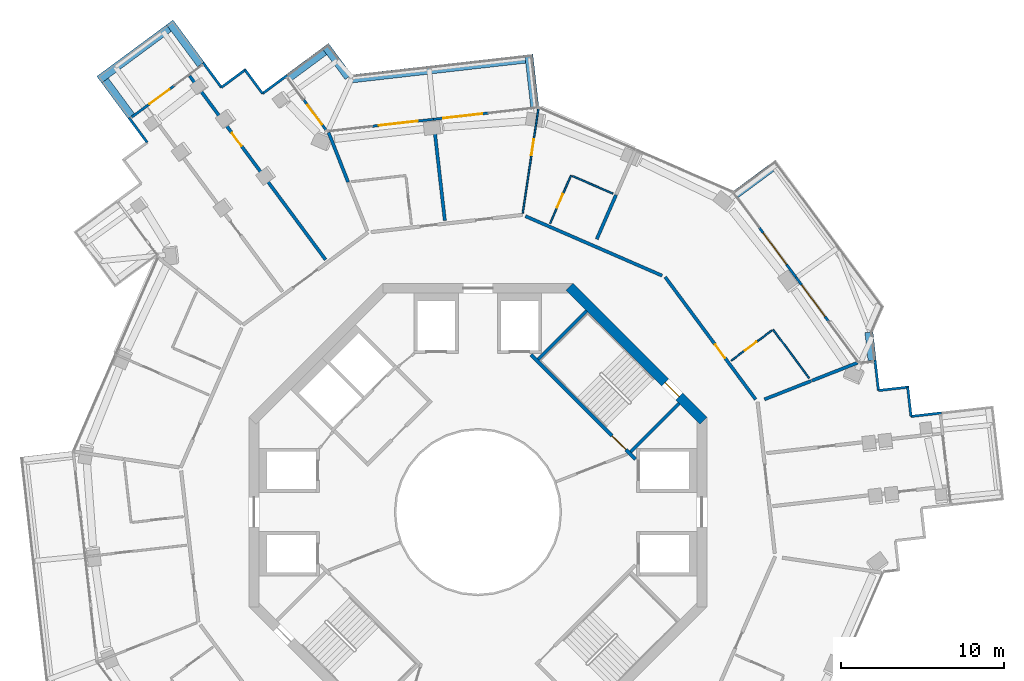
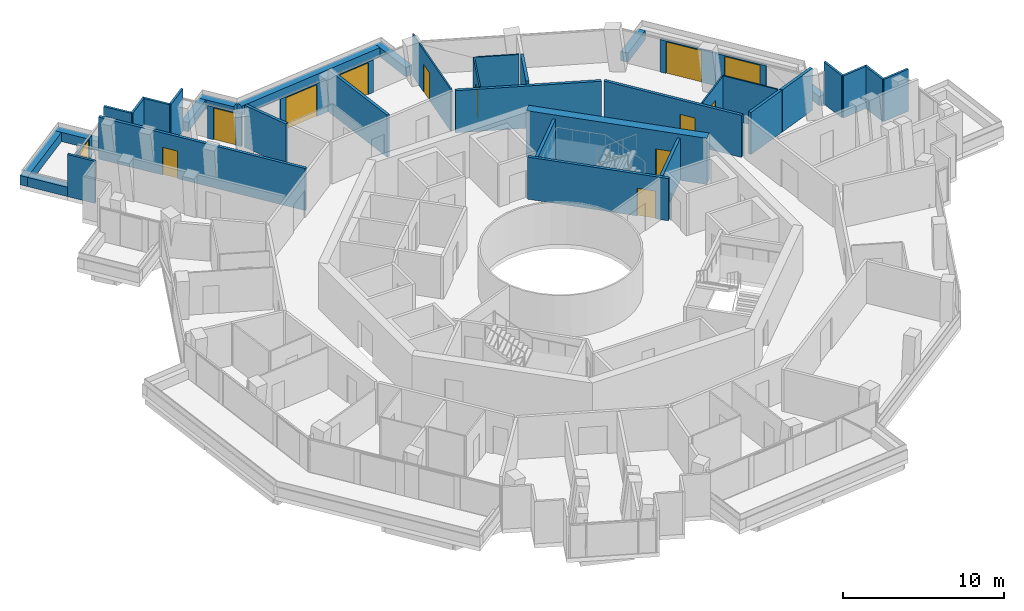
# One storey, part 19 of 23: 41 walls, 13 doors, 13 openings.
"""IFC4 building model written with IfcOpenShell, lengths in metres."""

import ifcopenshell
import ifcopenshell.guid

model = None  # the IFC model being written
_history = None  # IfcOwnerHistory: only IFC2X3 demands one
_inside = {}  # id of a spatial element -> (the spatial element, [elements in it])
_under = {}  # id of a project, library or spatial element -> (it, [spatial elements below it])
_declared = {}  # id of a project -> (the project, [libraries it declares])
_typed = {}  # id of a type object -> (the type object, [elements of that type])
_made_of = {}  # id of a material, layer set ... -> (it, [elements and type objects made of it])


def new_model(schema):
    """Start an empty IFC model of exactly this schema.

    Asked for "IFC4X3", IfcOpenShell would pick the latest addendum, in which some entities
    have other attributes; the version numbers below select the first issue.
    IFC2X3 requires an IfcOwnerHistory on every rooted entity: one is made here for all.
    """
    global model, _history
    if schema == "IFC4X3":
        model = ifcopenshell.file(schema_version=(4, 3, 0, 0))
    else:
        model = ifcopenshell.file(schema=schema)
    _inside.clear()
    _under.clear()
    _declared.clear()
    _typed.clear()
    _made_of.clear()
    _history = None
    if model.schema == "IFC2X3":
        org = make("IfcOrganization", Name="unknown")
        user = make(
            "IfcPersonAndOrganization",
            ThePerson=make("IfcPerson", FamilyName="unknown"),
            TheOrganization=org,
        )
        app = make(
            "IfcApplication",
            ApplicationDeveloper=org,
            Version="unknown",
            ApplicationFullName="unknown",
            ApplicationIdentifier="unknown",
        )
        _history = make(
            "IfcOwnerHistory",
            OwningUser=user,
            OwningApplication=app,
            ChangeAction="ADDED",
            CreationDate=0,
        )
    return model


def make(cls, **values):
    """One entity of the class cls with the attributes given. An attribute that is None is left unset."""
    return model.create_entity(
        cls, **{name: value for name, value in values.items() if value is not None}
    )


def rooted(cls, **values):
    """An entity with a GlobalId (a new one), such as an element, a storey or a relation."""
    return make(cls, GlobalId=ifcopenshell.guid.new(), OwnerHistory=_history, **values)


def si_unit(unit_type, name, prefix=None):
    """IfcSIUnit, for example si_unit("LENGTHUNIT", "METRE", prefix="MILLI")."""
    return make("IfcSIUnit", UnitType=unit_type, Prefix=prefix, Name=name)


def assignment(units):
    """IfcUnitAssignment: the units of a project."""
    return None if units is None else make("IfcUnitAssignment", Units=units)


def point(xyz):
    """IfcCartesianPoint."""
    return None if xyz is None else make("IfcCartesianPoint", Coordinates=xyz)


def direction(xyz):
    """IfcDirection."""
    return None if xyz is None else make("IfcDirection", DirectionRatios=xyz)


def frame(location, z_axis=None, x_axis=None):
    """IfcAxis2Placement3D, a coordinate frame: its origin and axes. An axis left out is left unset."""
    return make(
        "IfcAxis2Placement3D",
        Location=point(location),
        Axis=direction(z_axis),
        RefDirection=direction(x_axis),
    )


def frame_2d(location, x_axis=None):
    """IfcAxis2Placement2D, a coordinate frame in the plane: its origin and x axis."""
    return make(
        "IfcAxis2Placement2D", Location=point(location), RefDirection=direction(x_axis)
    )


def origin():
    """The frame at (0, 0, 0) with its axes left unset."""
    return frame((0.0, 0.0, 0.0))


def place(relative_to, where):
    """IfcLocalPlacement: puts the frame where relative to a parent placement (None: the world)."""
    return make(
        "IfcLocalPlacement", PlacementRelTo=relative_to, RelativePlacement=where
    )


def context(
    kind, dimensions, precision=None, world=None, true_north=None, identifier=None
):
    """IfcGeometricRepresentationContext, for example the 3D "Model" context."""
    return make(
        "IfcGeometricRepresentationContext",
        ContextIdentifier=identifier,
        ContextType=kind,
        CoordinateSpaceDimension=dimensions,
        Precision=precision,
        WorldCoordinateSystem=world,
        TrueNorth=true_north,
    )


def subcontext(parent, identifier, kind, view, scale=None):
    """IfcGeometricRepresentationSubContext, for example "Body" below "Model"."""
    return make(
        "IfcGeometricRepresentationSubContext",
        ContextIdentifier=identifier,
        ContextType=kind,
        ParentContext=parent,
        TargetScale=scale,
        TargetView=view,
    )


def project(units=None, contexts=None):
    """IfcProject with its units and contexts."""
    return rooted(
        "IfcProject",
        Name="project",
        RepresentationContexts=contexts,
        UnitsInContext=assignment(units),
    )


def spatial(cls, under=None, at=None, **own):
    """A site, building, storey or space (cls), placed at a placement, below another one or the project."""
    s = rooted(cls, ObjectPlacement=at, **own)
    if under is not None:
        _under.setdefault(under.id(), (under, []))[1].append(s)
    return s


def profile(cls, at=None, kind="AREA", **sizes):
    """A parametric profile (cls). Its sizes go by their IFC names, for example OverallWidth=200.0."""
    return make(cls, ProfileType=kind, Position=at, **sizes)


def rectangle(**sizes):
    """IfcRectangleProfileDef."""
    return profile("IfcRectangleProfileDef", **sizes)


def extrude(swept, where, along, depth):
    """IfcExtrudedAreaSolid: the profile swept, set in the frame where, extruded along a direction by depth."""
    return make(
        "IfcExtrudedAreaSolid",
        SweptArea=swept,
        Position=where,
        ExtrudedDirection=direction(along),
        Depth=depth,
    )


def shape(context_of_items, identifier, shape_type, items):
    """IfcShapeRepresentation: the items that make up one representation, for example the "Body"."""
    return make(
        "IfcShapeRepresentation",
        ContextOfItems=context_of_items,
        RepresentationIdentifier=identifier,
        RepresentationType=shape_type,
        Items=items,
    )


def material(Name=None, Category=None):
    """IfcMaterial."""
    return make("IfcMaterial", Name=Name, Category=Category)


def layer(
    of_material, thickness, ventilated=None, Name=None, Category=None, Priority=None
):
    """IfcMaterialLayer: one layer of a wall or slab, of a material (None: an air gap)."""
    return make(
        "IfcMaterialLayer",
        Material=of_material,
        LayerThickness=thickness,
        IsVentilated=ventilated,
        Name=Name,
        Category=Category,
        Priority=Priority,
    )


def layer_set(layers, Name=None):
    """IfcMaterialLayerSet."""
    return make("IfcMaterialLayerSet", MaterialLayers=layers, LayerSetName=Name)


def made_of(thing, what):
    """Note that an element or type object is made of a material, layer set ...; save() writes the relation."""
    if what is not None:
        _made_of.setdefault(what.id(), (what, []))[1].append(thing)
    return thing


def type_object(cls, material=None, **own):
    """A type object (cls), such as IfcWallType, which elements share."""
    return made_of(rooted(cls, **own), material)


def element(
    cls,
    number,
    at=None,
    inside=None,
    cuts=None,
    type_object=None,
    material=None,
    context=None,
    identifier="Body",
    shape_type=None,
    held_by="IfcProductDefinitionShape",
    body=None,
    shapes=None,
    **own,
):
    """One element of the class cls, such as IfcWall. Its Tag is "e" and its number.

    at: its placement. inside: the storey or other place that contains it. cuts: it is an
    opening in that element (IfcRelVoidsElement). A single representation is given by context,
    identifier, shape_type and body (its items); several are given by shapes. held_by: the class
    of the entity that holds the representations. save() writes the other relations.
    """
    e = rooted(cls, Tag="e%d" % number, ObjectPlacement=at, **own)
    if body is not None:
        shapes = [shape(context, identifier, shape_type, body)]
    if shapes is not None:
        e.Representation = make(held_by, Representations=shapes)
    if inside is not None:
        _inside.setdefault(inside.id(), (inside, []))[1].append(e)
    if cuts is not None:
        rooted(
            "IfcRelVoidsElement", RelatingBuildingElement=cuts, RelatedOpeningElement=e
        )
    if type_object is not None:
        _typed.setdefault(type_object.id(), (type_object, []))[1].append(e)
    return made_of(e, material)


def fill(opening, filler):
    """IfcRelFillsElement: the door or window that sits in an opening."""
    return rooted(
        "IfcRelFillsElement",
        RelatingOpeningElement=opening,
        RelatedBuildingElement=filler,
    )


def aggregate(whole, parts):
    """IfcRelAggregates: a whole, such as a stair, and the parts it consists of."""
    return rooted("IfcRelAggregates", RelatingObject=whole, RelatedObjects=parts)


def save(model, path):
    """Write the relations noted so far, then the file.

    IfcRelAggregates (storeys below a building ...), IfcRelContainedInSpatialStructure (elements
    in a storey), IfcRelDefinesByType, IfcRelAssociatesMaterial and IfcRelDeclares: one each for
    every whole, place, type object, material and project.
    """
    for whole, parts in _under.values():
        aggregate(whole, parts)
    for where, things in _inside.values():
        rooted(
            "IfcRelContainedInSpatialStructure",
            RelatedElements=things,
            RelatingStructure=where,
        )
    for kind, things in _typed.values():
        rooted("IfcRelDefinesByType", RelatedObjects=things, RelatingType=kind)
    for what, things in _made_of.values():
        rooted("IfcRelAssociatesMaterial", RelatedObjects=things, RelatingMaterial=what)
    for by, libraries in _declared.values():
        rooted("IfcRelDeclares", RelatingContext=by, RelatedDefinitions=libraries)
    model.write(path)


model = new_model("IFC4")

# Units and contexts
model_context = context("Model", 3, precision=1e-05, world=origin(), true_north=direction((0.0, 1.0)))
body_context = subcontext(model_context, "Body", "Model", "MODEL_VIEW")
ifc_project = project(units=[si_unit("LENGTHUNIT", "METRE"), si_unit("AREAUNIT", "SQUARE_METRE"), si_unit("VOLUMEUNIT", "CUBIC_METRE"), si_unit("PLANEANGLEUNIT", "RADIAN"), si_unit("MASSUNIT", "GRAM", prefix="KILO")], contexts=[model_context])

# Site, building, storey
site_placement = place(None, origin())
site = spatial("IfcSite", under=ifc_project, at=site_placement, CompositionType="ELEMENT")
building_placement = place(site_placement, origin())
building = spatial("IfcBuilding", under=site, at=building_placement, Name="Verdalira Terraces Hotel", CompositionType="ELEMENT")
storey_placement = place(building_placement, frame((0.0, 0.0, 183.5)))
storey = spatial("IfcBuildingStorey", under=building, at=storey_placement, Name="L44", CompositionType="ELEMENT", Elevation=183.5)

# Walls
ifc_material_1 = material(Name="Concrete C40", Category="concrete")
ifc_layer_1 = layer(ifc_material_1, 0.5)
ifc_layer_set_1 = layer_set([ifc_layer_1], Name="Balcony planter trough with tree")
wall_type_1 = type_object("IfcWallType", Name="Balcony planter trough with tree", PredefinedType="SOLIDWALL", material=ifc_layer_set_1)
wall_1_placement = place(storey_placement, frame((-16.952393, 27.384033, 0.0), z_axis=(0.0, 0.0, 1.0), x_axis=(-0.594601338, 0.804020677, 0.0)))
element("IfcWall", 1, at=wall_1_placement, inside=storey, type_object=wall_type_1, Name="Balcony planter", PredefinedType="SOLIDWALL", context=body_context, shape_type="SweptSolid", body=[
    extrude(rectangle(XDim=3.198975, YDim=0.5, at=frame_2d((1.599609, 0.0))), origin(), (0.0, 0.0, 1.0), 0.699951),
])
wall_2_placement = place(storey_placement, frame((-18.906738, 29.606445, 0.0), z_axis=(0.0, 0.0, 1.0), x_axis=(-0.804071784, -0.594532225, 0.0)))
element("IfcWall", 2, at=wall_2_placement, inside=storey, type_object=wall_type_1, Name="Balcony planter", PredefinedType="SOLIDWALL", context=body_context, shape_type="SweptSolid", body=[
    extrude(rectangle(XDim=5.300293, YDim=0.5, at=frame_2d((2.650146, 0.0))), origin(), (0.0, 0.0, 1.0), 0.699951),
])
wall_3_placement = place(storey_placement, frame((-22.818604, 26.403076, 0.0), z_axis=(0.0, 0.0, 1.0), x_axis=(0.594500425, -0.804095295, 0.0)))
element("IfcWall", 3, at=wall_3_placement, inside=storey, type_object=wall_type_1, Name="Balcony planter", PredefinedType="SOLIDWALL", context=body_context, shape_type="SweptSolid", body=[
    extrude(rectangle(XDim=2.698975, YDim=0.5, at=frame_2d((1.349609, 0.0))), origin(), (0.0, 0.0, 1.0), 0.699951),
])
wall_4_placement = place(storey_placement, frame((24.11499, 9.281738, 0.0), z_axis=(0.0, 0.0, 1.0), x_axis=(-0.112969813, 0.993598421, 0.0)))
element("IfcWall", 4, at=wall_4_placement, inside=storey, type_object=wall_type_1, Name="Balcony planter", PredefinedType="SOLIDWALL", context=body_context, shape_type="SweptSolid", body=[
    extrude(rectangle(XDim=1.730957, YDim=0.5, at=frame_2d((0.865479, 0.0))), origin(), (0.0, 0.0, 1.0), 0.699951),
])
wall_5_placement = place(storey_placement, frame((17.960449, 21.053223, 0.0), z_axis=(0.0, 0.0, 1.0), x_axis=(-0.804052053, -0.594558909, 0.0)))
element("IfcWall", 5, at=wall_5_placement, inside=storey, type_object=wall_type_1, Name="Balcony planter", PredefinedType="SOLIDWALL", context=body_context, shape_type="SweptSolid", body=[
    extrude(rectangle(XDim=2.698975, YDim=0.5, at=frame_2d((1.349609, 0.0))), origin(), (0.0, 0.0, 1.0), 0.699951),
])
wall_6_placement = place(storey_placement, frame((3.472168, 24.809814, 0.0), z_axis=(0.0, 0.0, 1.0), x_axis=(-0.112801803, 0.993617508, 0.0)))
element("IfcWall", 6, at=wall_6_placement, inside=storey, type_object=wall_type_1, Name="Balcony planter", PredefinedType="SOLIDWALL", context=body_context, shape_type="SweptSolid", body=[
    extrude(rectangle(XDim=3.198975, YDim=0.5, at=frame_2d((1.599609, 0.0))), origin(), (0.0, 0.0, 1.0), 0.699951),
])
wall_7_placement = place(storey_placement, frame((2.891113, 27.71167, 0.0), z_axis=(0.0, 0.0, 1.0), x_axis=(-0.993611915, -0.112851065, 0.0)))
element("IfcWall", 7, at=wall_7_placement, inside=storey, type_object=wall_type_1, Name="Balcony planter", PredefinedType="SOLIDWALL", context=body_context, shape_type="SweptSolid", body=[
    extrude(rectangle(XDim=10.652588, YDim=0.5, at=frame_2d((5.326172, 0.0))), origin(), (0.0, 0.0, 1.0), 0.699951),
])
wall_8_placement = place(storey_placement, frame((-7.922607, 26.609131, 0.0), z_axis=(0.0, 0.0, 1.0), x_axis=(-0.594528874, 0.804074262, 0.0)))
element("IfcWall", 8, at=wall_8_placement, inside=storey, type_object=wall_type_1, Name="Balcony planter", PredefinedType="SOLIDWALL", context=body_context, shape_type="SweptSolid", body=[
    extrude(rectangle(XDim=2.390869, YDim=0.5, at=frame_2d((1.195312, 0.0))), origin(), (0.0, 0.0, 1.0), 0.699951),
])
wall_9_placement = place(storey_placement, frame((-9.39624, 28.181641, 0.0), z_axis=(0.0, 0.0, 1.0), x_axis=(-0.804095295, -0.594500425, 0.0)))
element("IfcWall", 9, at=wall_9_placement, inside=storey, type_object=wall_type_1, Name="Balcony planter", PredefinedType="SOLIDWALL", context=body_context, shape_type="SweptSolid", body=[
    extrude(rectangle(XDim=2.698975, YDim=0.5, at=frame_2d((1.349609, 0.0))), origin(), (0.0, 0.0, 1.0), 0.699951),
])

# Wall, opening, door
ifc_material_2 = material(Name="Moisture-resistant gypsum board partition")
ifc_layer_2 = layer(ifc_material_2, 0.10009765625)
ifc_layer_set_2 = layer_set([ifc_layer_2], Name="Bathroom partition 100 mm")
wall_type_2 = type_object("IfcWallType", Name="Bathroom partition 100 mm", PredefinedType="PARTITIONING", material=ifc_layer_set_2)
wall_10_placement = place(storey_placement, frame((3.698486, 24.688721, 0.0), z_axis=(0.0, 0.0, 1.0), x_axis=(-0.148157946, -0.988963712, 0.0)))
wall_10 = element("IfcWall", 10, at=wall_10_placement, inside=storey, type_object=wall_type_2, Name="Bathroom partition", PredefinedType="PARTITIONING", context=body_context, shape_type="SweptSolid", body=[
    extrude(rectangle(XDim=6.476074, YDim=0.100098, at=frame_2d((3.238037, 0.0))), origin(), (0.0, 0.0, 1.0), 3.189941),
])
opening_1_placement = place(wall_10_placement, frame((1.899902, 0.0, 0.0)))
opening_1 = element("IfcOpeningElement", 11, at=opening_1_placement, cuts=wall_10, Name="Opening L44-128", PredefinedType="OPENING", context=body_context, shape_type="SweptSolid", body=[
    extrude(rectangle(XDim=1.0, YDim=2.100098, at=frame_2d((0.5, 1.050049))), frame((0.0, 0.060059, 0.0), z_axis=(0.0, -1.0, 0.0), x_axis=(1.0, 0.0, 0.0)), (0.0, 0.0, 1.0), 0.120117),
])
ifc_material_3 = material(Name="Timber door", Category="wood")
door_type_1 = type_object("IfcDoorType", Name="Suite internal door 1000 x 2100", OperationType="NOTDEFINED", PredefinedType="DOOR", material=ifc_material_3)
door_1_placement = place(opening_1_placement, origin())
door_1 = element("IfcDoor", 12, at=door_1_placement, inside=storey, type_object=door_type_1, Name="Suite internal door 4410", OperationType="SINGLE_SWING_LEFT", OverallHeight=2.10009765625, OverallWidth=1.0, PredefinedType="DOOR", context=body_context, shape_type="SweptSolid", body=[
    extrude(rectangle(XDim=1.0, YDim=2.100098, at=frame_2d((0.5, 1.050049))), frame((0.0, 0.024902, 0.0), z_axis=(0.0, -1.0, 0.0), x_axis=(1.0, 0.0, 0.0)), (0.0, 0.0, 1.0), 0.050049),
])
fill(opening_1, door_1)

wall_11_placement = place(storey_placement, frame((5.692871, 20.597656, 0.0), z_axis=(0.0, 0.0, 1.0), x_axis=(-0.399032975, -0.916936576, 0.0)))
wall_11 = element("IfcWall", 13, at=wall_11_placement, inside=storey, type_object=wall_type_2, Name="Bathroom partition", PredefinedType="PARTITIONING", context=body_context, shape_type="SweptSolid", body=[
    extrude(rectangle(XDim=3.199951, YDim=0.100098, at=frame_2d((1.600098, 0.0))), origin(), (0.0, 0.0, 1.0), 3.189941),
])
opening_2_placement = place(wall_11_placement, frame((1.25, 0.0, 0.0)))
opening_2 = element("IfcOpeningElement", 14, at=opening_2_placement, cuts=wall_11, Name="Opening L44-129", PredefinedType="OPENING", context=body_context, shape_type="SweptSolid", body=[
    extrude(rectangle(XDim=0.899902, YDim=2.100098, at=frame_2d((0.449951, 1.050049))), frame((0.0, 0.060059, 0.0), z_axis=(0.0, -1.0, 0.0), x_axis=(1.0, 0.0, 0.0)), (0.0, 0.0, 1.0), 0.120117),
])
ifc_material_4 = material(Name="Timber door", Category="wood")
door_type_2 = type_object("IfcDoorType", Name="Bathroom door 900 x 2100", OperationType="NOTDEFINED", PredefinedType="DOOR", material=ifc_material_4)
door_2_placement = place(opening_2_placement, origin())
door_2 = element("IfcDoor", 15, at=door_2_placement, inside=storey, type_object=door_type_2, Name="Bathroom door 4410", OperationType="SINGLE_SWING_LEFT", OverallHeight=2.10009765625, OverallWidth=0.89990234375, PredefinedType="DOOR", context=body_context, shape_type="SweptSolid", body=[
    extrude(rectangle(XDim=0.899902, YDim=2.100098, at=frame_2d((0.449951, 1.050049))), frame((0.0, 0.024902, 0.0), z_axis=(0.0, -1.0, 0.0), x_axis=(1.0, 0.0, 0.0)), (0.0, 0.0, 1.0), 0.050049),
])
fill(opening_2, door_2)

# Wall
wall_12_placement = place(storey_placement, frame((8.260254, 19.480225, 0.0), z_axis=(0.0, 0.0, 1.0), x_axis=(-0.916894583, 0.399129457, 0.0)))
element("IfcWall", 16, at=wall_12_placement, inside=storey, type_object=wall_type_2, Name="Bathroom partition", PredefinedType="PARTITIONING", context=body_context, shape_type="SweptSolid", body=[
    extrude(rectangle(XDim=2.699951, YDim=0.100098, at=frame_2d((1.350098, 0.0))), origin(), (0.0, 0.0, 1.0), 3.189941),
])

# Wall, opening, door
wall_13_placement = place(storey_placement, frame((17.977783, 11.106201, 0.0), z_axis=(0.0, 0.0, 1.0), x_axis=(-0.804082839, -0.594517273, 0.0)))
wall_13 = element("IfcWall", 17, at=wall_13_placement, inside=storey, type_object=wall_type_2, Name="Bathroom partition", PredefinedType="PARTITIONING", context=body_context, shape_type="SweptSolid", body=[
    extrude(rectangle(XDim=3.100098, YDim=0.100098, at=frame_2d((1.550049, 0.0))), origin(), (0.0, 0.0, 1.0), 3.189941),
])
opening_3_placement = place(wall_13_placement, frame((1.149902, 0.0, 0.0)))
opening_3 = element("IfcOpeningElement", 18, at=opening_3_placement, cuts=wall_13, Name="Opening L44-126", PredefinedType="OPENING", context=body_context, shape_type="SweptSolid", body=[
    extrude(rectangle(XDim=0.899902, YDim=2.100098, at=frame_2d((0.449951, 1.050049))), frame((0.0, 0.060059, 0.0), z_axis=(0.0, -1.0, 0.0), x_axis=(1.0, 0.0, 0.0)), (0.0, 0.0, 1.0), 0.120117),
])
door_3_placement = place(opening_3_placement, origin())
door_3 = element("IfcDoor", 19, at=door_3_placement, inside=storey, type_object=door_type_2, Name="Bathroom door 4409", OperationType="SINGLE_SWING_LEFT", OverallHeight=2.10009765625, OverallWidth=0.89990234375, PredefinedType="DOOR", context=body_context, shape_type="SweptSolid", body=[
    extrude(rectangle(XDim=0.899902, YDim=2.100098, at=frame_2d((0.449951, 1.050049))), frame((0.0, 0.024902, 0.0), z_axis=(0.0, -1.0, 0.0), x_axis=(1.0, 0.0, 0.0)), (0.0, 0.0, 1.0), 0.050049),
])
fill(opening_3, door_3)

# Wall
wall_14_placement = place(storey_placement, frame((18.058105, 11.165771, 0.0), z_axis=(0.0, 0.0, 1.0), x_axis=(0.594533755, -0.804070652, 0.0)))
element("IfcWall", 20, at=wall_14_placement, inside=storey, type_object=wall_type_2, Name="Bathroom partition", PredefinedType="PARTITIONING", context=body_context, shape_type="SweptSolid", body=[
    extrude(rectangle(XDim=3.704102, YDim=0.100098, at=frame_2d((1.852051, 0.0))), origin(), (0.0, 0.0, 1.0), 3.189941),
])

# Wall, opening, door
ifc_material_5 = material(Name="Concrete C50", Category="concrete")
ifc_layer_3 = layer(ifc_material_5, 0.199951171875)
ifc_layer_set_3 = layer_set([ifc_layer_3], Name="Core RC wall 200 C50")
wall_type_3 = type_object("IfcWallType", Name="Core RC wall 200 C50", PredefinedType="SOLIDWALL", material=ifc_layer_set_3)
wall_15_placement = place(storey_placement, frame((3.23999, 9.629395, 0.0), z_axis=(0.0, 0.0, 1.0), x_axis=(0.707106781, -0.707106781, 0.0)))
wall_15 = element("IfcWall", 21, at=wall_15_placement, inside=storey, type_object=wall_type_3, Name="L44 stair ST1 front wall", PredefinedType="SOLIDWALL", context=body_context, shape_type="SweptSolid", body=[
    extrude(rectangle(XDim=9.035889, YDim=0.199951, at=frame_2d((4.518066, 0.0))), origin(), (0.0, 0.0, 1.0), 3.189941),
])
opening_4_placement = place(wall_15_placement, frame((7.017822, 0.0, 0.0)))
opening_4 = element("IfcOpeningElement", 22, at=opening_4_placement, cuts=wall_15, Name="Opening L44-810", PredefinedType="OPENING", context=body_context, shape_type="SweptSolid", body=[
    extrude(rectangle(XDim=1.199951, YDim=2.100098, at=frame_2d((0.600098, 1.050049))), frame((0.0, 0.109863, 0.0), z_axis=(0.0, -1.0, 0.0), x_axis=(1.0, 0.0, 0.0)), (0.0, 0.0, 1.0), 0.219971),
])
ifc_material_6 = material(Name="Steel fire door", Category="steel")
door_type_3 = type_object("IfcDoorType", Name="Stair door 1200 x 2100", OperationType="NOTDEFINED", PredefinedType="DOOR", material=ifc_material_6)
door_4_placement = place(opening_4_placement, origin())
door_4 = element("IfcDoor", 23, at=door_4_placement, inside=storey, type_object=door_type_3, Name="Stair door ST1 L44", OperationType="SINGLE_SWING_RIGHT", OverallHeight=2.10009765625, OverallWidth=1.199951171875, PredefinedType="DOOR", context=body_context, shape_type="SweptSolid", body=[
    extrude(rectangle(XDim=1.199951, YDim=2.100098, at=frame_2d((0.600098, 1.050049))), frame((0.0, 0.024902, 0.0), z_axis=(0.0, -1.0, 0.0), x_axis=(1.0, 0.0, 0.0)), (0.0, 0.0, 1.0), 0.050049),
])
fill(opening_4, door_4)

# Walls
for number, where, z_axis, x_axis, name in (
    (24, (9.33374, 3.677002, 0.0), (0.0, 0.0, 1.0), (0.707135845, 0.707077716, 0.0), "L44 stair ST1 end wall 1"),
    (25, (3.677002, 9.33374, 0.0), (0.0, 0.0, 1.0), (0.707077716, 0.707135845, 0.0), "L44 stair ST1 end wall 2"),
):
    element("IfcWall", number, at=place(storey_placement, frame(where, z_axis=z_axis, x_axis=x_axis)), inside=storey, type_object=wall_type_3, Name=name, PredefinedType="SOLIDWALL", context=body_context, shape_type="SweptSolid", body=[
        extrude(rectangle(XDim=4.199951, YDim=0.199951, at=frame_2d((2.100098, 0.0))), origin(), (0.0, 0.0, 1.0), 3.189941),
    ])

# Wall, opening, door
ifc_material_7 = material(Name="Concrete C60", Category="concrete")
ifc_layer_4 = layer(ifc_material_7, 0.60009765625)
ifc_layer_set_4 = layer_set([ifc_layer_4], Name="Core wall 600 C60")
wall_type_4 = type_object("IfcWallType", Name="Core wall 600 C60", PredefinedType="SHEAR", material=ifc_layer_set_4)
wall_16_placement = place(storey_placement, frame((13.787842, 5.586914, 0.0), z_axis=(0.0, 0.0, 1.0), x_axis=(-0.707106781, 0.707106781, 0.0)))
wall_16 = element("IfcWall", 26, at=wall_16_placement, inside=storey, type_object=wall_type_4, Name="Core wall CW-L44-2", PredefinedType="SHEAR", context=body_context, shape_type="SweptSolid", body=[
    extrude(rectangle(XDim=11.5979, YDim=0.600098, at=frame_2d((5.798828, 0.0))), origin(), (0.0, 0.0, 1.0), 3.5),
])
opening_5_placement = place(wall_16_placement, frame((2.099121, 0.0, 0.0)))
opening_5 = element("IfcOpeningElement", 27, at=opening_5_placement, cuts=wall_16, Name="Opening L44-816", PredefinedType="OPENING", context=body_context, shape_type="SweptSolid", body=[
    extrude(rectangle(XDim=1.199951, YDim=2.100098, at=frame_2d((0.600098, 1.050049))), frame((0.0, 0.310059, 0.0), z_axis=(0.0, -1.0, 0.0), x_axis=(1.0, 0.0, 0.0)), (0.0, 0.0, 1.0), 0.620117),
])
door_5_placement = place(opening_5_placement, origin())
door_5 = element("IfcDoor", 28, at=door_5_placement, inside=storey, type_object=door_type_3, Name="Stair exit door ST1 L44", OperationType="SINGLE_SWING_LEFT", OverallHeight=2.10009765625, OverallWidth=1.199951171875, PredefinedType="DOOR", context=body_context, shape_type="SweptSolid", body=[
    extrude(rectangle(XDim=1.199951, YDim=2.100098, at=frame_2d((0.600098, 1.050049))), frame((0.0, 0.024902, 0.0), z_axis=(0.0, -1.0, 0.0), x_axis=(1.0, 0.0, 0.0)), (0.0, 0.0, 1.0), 0.050049),
])
fill(opening_5, door_5)

ifc_material_8 = material(Name="Fire-rated gypsum board wall")
ifc_layer_5 = layer(ifc_material_8, 0.199951171875)
ifc_layer_set_5 = layer_set([ifc_layer_5], Name="Demising wall 200 mm")
wall_type_5 = type_object("IfcWallType", Name="Demising wall 200 mm", PredefinedType="SOLIDWALL", material=ifc_layer_set_5)
wall_17_placement = place(storey_placement, frame((-17.638672, 26.688721, 0.0), z_axis=(0.0, 0.0, 1.0), x_axis=(0.594549069, -0.804059329, 0.0)))
wall_17 = element("IfcWall", 29, at=wall_17_placement, inside=storey, type_object=wall_type_5, Name="Demising wall", PredefinedType="SOLIDWALL", context=body_context, shape_type="SweptSolid", body=[
    extrude(rectangle(XDim=13.988281, YDim=0.199951, at=frame_2d((6.994141, 0.0))), origin(), (0.0, 0.0, 1.0), 3.189941),
])
opening_6_placement = place(wall_17_placement, frame((4.350098, 0.0, 0.0)))
opening_6 = element("IfcOpeningElement", 30, at=opening_6_placement, cuts=wall_17, Name="Opening L44-102", PredefinedType="OPENING", context=body_context, shape_type="SweptSolid", body=[
    extrude(rectangle(XDim=1.0, YDim=2.100098, at=frame_2d((0.5, 1.050049))), frame((0.0, 0.109863, 0.0), z_axis=(0.0, -1.0, 0.0), x_axis=(1.0, 0.0, 0.0)), (0.0, 0.0, 1.0), 0.219971),
])
ifc_material_9 = material(Name="Timber fire door", Category="wood")
door_type_4 = type_object("IfcDoorType", Name="Public room door 1000 x 2100", OperationType="NOTDEFINED", PredefinedType="DOOR", material=ifc_material_9)
door_6_placement = place(opening_6_placement, origin())
door_6 = element("IfcDoor", 31, at=door_6_placement, inside=storey, type_object=door_type_4, Name="Public room door 4401", OperationType="SINGLE_SWING_LEFT", OverallHeight=2.10009765625, OverallWidth=1.0, PredefinedType="DOOR", context=body_context, shape_type="SweptSolid", body=[
    extrude(rectangle(XDim=1.0, YDim=2.100098, at=frame_2d((0.5, 1.050049))), frame((0.0, 0.024902, 0.0), z_axis=(0.0, -1.0, 0.0), x_axis=(1.0, 0.0, 0.0)), (0.0, 0.0, 1.0), 0.050049),
])
fill(opening_6, door_6)

# Walls
wall_18_placement = place(storey_placement, frame((-9.141357, 23.230225, 0.0), z_axis=(0.0, 0.0, 1.0), x_axis=(0.366220798, -0.930527983, 0.0)))
element("IfcWall", 32, at=wall_18_placement, inside=storey, type_object=wall_type_5, Name="Demising wall", PredefinedType="SOLIDWALL", context=body_context, shape_type="SweptSolid", body=[
    extrude(rectangle(XDim=3.268555, YDim=0.199951, at=frame_2d((1.634277, 0.0))), origin(), (0.0, 0.0, 1.0), 3.189941),
])
wall_19_placement = place(storey_placement, frame((-2.026611, 17.843506, 0.0), z_axis=(0.0, 0.0, 1.0), x_axis=(-0.112858027, 0.993611124, 0.0)))
element("IfcWall", 33, at=wall_19_placement, inside=storey, type_object=wall_type_5, Name="Demising wall", PredefinedType="SOLIDWALL", context=body_context, shape_type="SweptSolid", body=[
    extrude(rectangle(XDim=6.150146, YDim=0.199951, at=frame_2d((3.075195, 0.0))), origin(), (0.0, 0.0, 1.0), 3.189941),
])
wall_20_placement = place(storey_placement, frame((7.265381, 16.693115, 0.0), z_axis=(0.0, 0.0, 1.0), x_axis=(0.399019171, 0.916942584, 0.0)))
element("IfcWall", 34, at=wall_20_placement, inside=storey, type_object=wall_type_5, Name="Demising wall", PredefinedType="SOLIDWALL", context=body_context, shape_type="SweptSolid", body=[
    extrude(rectangle(XDim=2.95459, YDim=0.199951, at=frame_2d((1.477295, 0.0))), origin(), (0.0, 0.0, 1.0), 3.189941),
])
wall_21_placement = place(storey_placement, frame((17.523926, 6.895752, 0.0), z_axis=(0.0, 0.0, 1.0), x_axis=(0.93054289, 0.366182919, 0.0)))
element("IfcWall", 35, at=wall_21_placement, inside=storey, type_object=wall_type_5, Name="Demising wall", PredefinedType="SOLIDWALL", context=body_context, shape_type="SweptSolid", body=[
    extrude(rectangle(XDim=3.074951, YDim=0.199951, at=frame_2d((1.537598, 0.0))), origin(), (0.0, 0.0, 1.0), 3.189941),
])
wall_22_placement = place(storey_placement, frame((20.427979, 8.038574, 0.0), z_axis=(0.0, 0.0, 1.0), x_axis=(0.930536516, 0.366199115, 0.0)))
element("IfcWall", 36, at=wall_22_placement, inside=storey, type_object=wall_type_5, Name="Demising wall", PredefinedType="SOLIDWALL", context=body_context, shape_type="SweptSolid", body=[
    extrude(rectangle(XDim=3.011475, YDim=0.199951, at=frame_2d((1.505859, 0.0))), origin(), (0.0, 0.0, 1.0), 3.189941),
])
ifc_material_10 = material(Name="Fire-rated gypsum board wall")
ifc_layer_6 = layer(ifc_material_10, 0.199951171875)
ifc_layer_set_6 = layer_set([ifc_layer_6], Name="Guest corridor wall 200 mm")
wall_type_6 = type_object("IfcWallType", Name="Guest corridor wall 200 mm", PredefinedType="SOLIDWALL", material=ifc_layer_set_6)
wall_23_placement = place(storey_placement, frame((11.265869, 14.464111, 0.0), z_axis=(0.0, 0.0, 1.0), x_axis=(-0.916919691, 0.399071774, 0.0)))
element("IfcWall", 37, at=wall_23_placement, inside=storey, type_object=wall_type_6, Name="Guest corridor wall", PredefinedType="SOLIDWALL", context=body_context, shape_type="SweptSolid", body=[
    extrude(rectangle(XDim=9.115967, YDim=0.199951, at=frame_2d((4.558105, 0.0))), origin(), (0.0, 0.0, 1.0), 3.189941),
])

# Wall, opening, door
wall_24_placement = place(storey_placement, frame((11.450195, 14.383545, 0.0), z_axis=(0.0, 0.0, 1.0), x_axis=(0.594543579, -0.804063388, 0.0)))
wall_24 = element("IfcWall", 38, at=wall_24_placement, inside=storey, type_object=wall_type_6, Name="Guest corridor wall", PredefinedType="SOLIDWALL", context=body_context, shape_type="SweptSolid", body=[
    extrude(rectangle(XDim=9.316162, YDim=0.199951, at=frame_2d((4.658203, 0.0))), origin(), (0.0, 0.0, 1.0), 3.189941),
])
opening_7_placement = place(wall_24_placement, frame((5.149902, 0.0, 0.0)))
opening_7 = element("IfcOpeningElement", 39, at=opening_7_placement, cuts=wall_24, Name="Opening L44-125", PredefinedType="OPENING", context=body_context, shape_type="SweptSolid", body=[
    extrude(rectangle(XDim=1.0, YDim=2.100098, at=frame_2d((0.5, 1.050049))), frame((0.0, 0.109863, 0.0), z_axis=(0.0, -1.0, 0.0), x_axis=(1.0, 0.0, 0.0)), (0.0, 0.0, 1.0), 0.219971),
])
ifc_material_11 = material(Name="Timber fire door", Category="wood")
door_type_5 = type_object("IfcDoorType", Name="Guest entry door 1000 x 2100", OperationType="NOTDEFINED", PredefinedType="DOOR", material=ifc_material_11)
door_7_placement = place(opening_7_placement, origin())
door_7 = element("IfcDoor", 40, at=door_7_placement, inside=storey, type_object=door_type_5, Name="Guest entry door 4409", OperationType="SINGLE_SWING_LEFT", OverallHeight=2.10009765625, OverallWidth=1.0, PredefinedType="DOOR", context=body_context, shape_type="SweptSolid", body=[
    extrude(rectangle(XDim=1.0, YDim=2.100098, at=frame_2d((0.5, 1.050049))), frame((0.0, 0.024902, 0.0), z_axis=(0.0, -1.0, 0.0), x_axis=(1.0, 0.0, 0.0)), (0.0, 0.0, 1.0), 0.050049),
])
fill(opening_7, door_7)

# Walls
ifc_material_12 = material(Name="Terracotta cladding", Category="masonry")
ifc_layer_7 = layer(ifc_material_12, 0.14990234375)
ifc_layer_set_7 = layer_set([ifc_layer_7], Name="Terracotta clad wall 150")
wall_type_7 = type_object("IfcWallType", Name="Terracotta clad wall 150", PredefinedType="SOLIDWALL", material=ifc_layer_set_7)
wall_25_placement = place(storey_placement, frame((-11.671387, 26.717285, 0.0), z_axis=(0.0, 0.0, 1.0), x_axis=(-0.803997515, -0.594632656, 0.0)))
element("IfcWall", 41, at=wall_25_placement, inside=storey, type_object=wall_type_7, Name="Terracotta cladding wall", PredefinedType="SOLIDWALL", context=body_context, shape_type="SweptSolid", body=[
    extrude(rectangle(XDim=1.875, YDim=0.149902, at=frame_2d((0.9375, 0.0))), origin(), (0.0, 0.0, 1.0), 3.189941),
])
wall_26_placement = place(storey_placement, frame((-13.178955, 25.602295, 0.0), z_axis=(0.0, 0.0, 1.0), x_axis=(-0.594452075, 0.804131041, 0.0)))
element("IfcWall", 42, at=wall_26_placement, inside=storey, type_object=wall_type_7, Name="Terracotta cladding wall", PredefinedType="SOLIDWALL", context=body_context, shape_type="SweptSolid", body=[
    extrude(rectangle(XDim=1.800049, YDim=0.149902, at=frame_2d((0.899902, 0.0))), origin(), (0.0, 0.0, 1.0), 3.189941),
])
wall_27_placement = place(storey_placement, frame((-14.188721, 27.094238, 0.0), z_axis=(0.0, 0.0, 1.0), x_axis=(-0.804105784, -0.594486239, 0.0)))
element("IfcWall", 43, at=wall_27_placement, inside=storey, type_object=wall_type_7, Name="Terracotta cladding wall", PredefinedType="SOLIDWALL", context=body_context, shape_type="SweptSolid", body=[
    extrude(rectangle(XDim=1.875244, YDim=0.149902, at=frame_2d((0.9375, 0.0))), origin(), (0.0, 0.0, 1.0), 3.189941),
])
for number, where, z_axis, x_axis, name in (
    (44, (-15.696533, 25.979492, 0.0), (0.0, 0.0, 1.0), (-0.594548482, 0.804059763, 0.0), "Terracotta cladding wall"),
    (45, (-21.354248, 24.12793, 0.0), (0.0, 0.0, 1.0), (0.594548482, -0.804059763, 0.0), "Terracotta cladding wall"),
    (46, (28.355225, 6.063721, 0.0), (0.0, 0.0, 1.0), (-0.993622175, -0.112760687, 0.0), "Terracotta cladding wall"),
):
    element("IfcWall", number, at=place(storey_placement, frame(where, z_axis=z_axis, x_axis=x_axis)), inside=storey, type_object=wall_type_7, Name=name, PredefinedType="SOLIDWALL", context=body_context, shape_type="SweptSolid", body=[
        extrude(rectangle(XDim=1.875, YDim=0.149902, at=frame_2d((0.9375, 0.0))), origin(), (0.0, 0.0, 1.0), 3.189941),
    ])
wall_28_placement = place(storey_placement, frame((26.492188, 5.852295, 0.0), z_axis=(0.0, 0.0, 1.0), x_axis=(-0.112857947, 0.993611133, 0.0)))
element("IfcWall", 47, at=wall_28_placement, inside=storey, type_object=wall_type_7, Name="Terracotta cladding wall", PredefinedType="SOLIDWALL", context=body_context, shape_type="SweptSolid", body=[
    extrude(rectangle(XDim=1.799805, YDim=0.149902, at=frame_2d((0.899902, 0.0))), origin(), (0.0, 0.0, 1.0), 3.189941),
])
for number, where, z_axis, x_axis, name in (
    (48, (26.363525, 7.64917, 0.0), (0.0, 0.0, 1.0), (-0.993607579, -0.112889237, 0.0), "Terracotta cladding wall"),
    (49, (24.500488, 7.4375, 0.0), (0.0, 0.0, 1.0), (-0.112889237, 0.993607579, 0.0), "Terracotta cladding wall"),
):
    element("IfcWall", number, at=place(storey_placement, frame(where, z_axis=z_axis, x_axis=x_axis)), inside=storey, type_object=wall_type_7, Name=name, PredefinedType="SOLIDWALL", context=body_context, shape_type="SweptSolid", body=[
        extrude(rectangle(XDim=1.875, YDim=0.149902, at=frame_2d((0.9375, 0.0))), origin(), (0.0, 0.0, 1.0), 3.189941),
    ])

# Wall, opening, door
ifc_material_13 = material(Name="Terracotta cladding", Category="masonry")
ifc_layer_8 = layer(ifc_material_13, 0.14990234375)
ifc_layer_set_8 = layer_set([ifc_layer_8], Name="Terracotta door pier 150")
wall_type_8 = type_object("IfcWallType", Name="Terracotta door pier 150", PredefinedType="SOLIDWALL", material=ifc_layer_set_8)
wall_29_placement = place(storey_placement, frame((-9.298096, 23.381592, 0.0), z_axis=(0.0, 0.0, 1.0), x_axis=(-0.59459369, 0.804026333, 0.0)))
wall_29 = element("IfcWall", 50, at=wall_29_placement, inside=storey, type_object=wall_type_8, Name="Terracotta door pier", PredefinedType="SOLIDWALL", context=body_context, shape_type="SweptSolid", body=[
    extrude(rectangle(XDim=2.303467, YDim=0.149902, at=frame_2d((1.151855, 0.0))), origin(), (0.0, 0.0, 1.0), 2.475098),
])
opening_8_placement = place(wall_29_placement, frame((0.403564, 0.0, 0.0)))
opening_8 = element("IfcOpeningElement", 51, at=opening_8_placement, cuts=wall_29, Name="Opening L44-B01", PredefinedType="OPENING", context=body_context, shape_type="SweptSolid", body=[
    extrude(rectangle(XDim=1.5, YDim=2.399902, at=frame_2d((0.75, 1.199951))), frame((0.0, 0.084961, 0.0), z_axis=(0.0, -1.0, 0.0), x_axis=(1.0, 0.0, 0.0)), (0.0, 0.0, 1.0), 0.169922),
])
ifc_material_14 = material(Name="Clear glass", Category="glass")
door_type_6 = type_object("IfcDoorType", Name="Balcony sliding door 1500x2400", OperationType="NOTDEFINED", PredefinedType="DOOR", material=ifc_material_14)
door_8_placement = place(opening_8_placement, origin())
door_8 = element("IfcDoor", 52, at=door_8_placement, inside=storey, type_object=door_type_6, Name="Balcony sliding door", OperationType="SLIDING_TO_LEFT", OverallHeight=2.39990234375, OverallWidth=1.5, PredefinedType="DOOR", context=body_context, shape_type="SweptSolid", body=[
    extrude(rectangle(XDim=1.5, YDim=2.399902, at=frame_2d((0.75, 1.199951))), frame((0.0, 0.024902, 0.0), z_axis=(0.0, -1.0, 0.0), x_axis=(1.0, 0.0, 0.0)), (0.0, 0.0, 1.0), 0.050049),
])
fill(opening_8, door_8)

wall_30_placement = place(storey_placement, frame((-18.563721, 26.098145, 0.0), z_axis=(0.0, 0.0, 1.0), x_axis=(-0.804070297, -0.594534236, 0.0)))
wall_30 = element("IfcWall", 53, at=wall_30_placement, inside=storey, type_object=wall_type_8, Name="Terracotta door pier", PredefinedType="SOLIDWALL", context=body_context, shape_type="SweptSolid", body=[
    extrude(rectangle(XDim=3.26001, YDim=0.149902, at=frame_2d((1.629883, 0.0))), origin(), (0.0, 0.0, 1.0), 2.475098),
])
opening_9_placement = place(wall_30_placement, frame((0.399902, 0.0, 0.0)))
opening_9 = element("IfcOpeningElement", 54, at=opening_9_placement, cuts=wall_30, Name="Opening L44-B02", PredefinedType="OPENING", context=body_context, shape_type="SweptSolid", body=[
    extrude(rectangle(XDim=1.5, YDim=2.399902, at=frame_2d((0.75, 1.199951))), frame((0.0, 0.084961, 0.0), z_axis=(0.0, -1.0, 0.0), x_axis=(1.0, 0.0, 0.0)), (0.0, 0.0, 1.0), 0.169922),
])
door_9_placement = place(opening_9_placement, origin())
door_9 = element("IfcDoor", 55, at=door_9_placement, inside=storey, type_object=door_type_6, Name="Balcony sliding door", OperationType="SLIDING_TO_RIGHT", OverallHeight=2.39990234375, OverallWidth=1.5, PredefinedType="DOOR", context=body_context, shape_type="SweptSolid", body=[
    extrude(rectangle(XDim=1.5, YDim=2.399902, at=frame_2d((0.75, 1.199951))), frame((0.0, 0.024902, 0.0), z_axis=(0.0, -1.0, 0.0), x_axis=(1.0, 0.0, 0.0)), (0.0, 0.0, 1.0), 0.050049),
])
fill(opening_9, door_9)

wall_31_placement = place(storey_placement, frame((21.466309, 11.644287, 0.0), z_axis=(0.0, 0.0, 1.0), x_axis=(-0.594528355, 0.804074645, 0.0)))
wall_31 = element("IfcWall", 56, at=wall_31_placement, inside=storey, type_object=wall_type_8, Name="Terracotta door pier", PredefinedType="SOLIDWALL", context=body_context, shape_type="SweptSolid", body=[
    extrude(rectangle(XDim=3.399658, YDim=0.149902, at=frame_2d((1.699707, 0.0))), origin(), (0.0, 0.0, 1.0), 2.475098),
])
opening_10_placement = place(wall_31_placement, frame((0.399902, 0.0, 0.0)))
opening_10 = element("IfcOpeningElement", 57, at=opening_10_placement, cuts=wall_31, Name="Opening L44-B11", PredefinedType="OPENING", context=body_context, shape_type="SweptSolid", body=[
    extrude(rectangle(XDim=2.399902, YDim=2.399902, at=frame_2d((1.199951, 1.199951))), frame((0.0, 0.084961, 0.0), z_axis=(0.0, -1.0, 0.0), x_axis=(1.0, 0.0, 0.0)), (0.0, 0.0, 1.0), 0.169922),
])
ifc_material_15 = material(Name="Clear glass", Category="glass")
door_type_7 = type_object("IfcDoorType", Name="Balcony sliding door 2400x2400", OperationType="NOTDEFINED", PredefinedType="DOOR", material=ifc_material_15)
door_10_placement = place(opening_10_placement, origin())
door_10 = element("IfcDoor", 58, at=door_10_placement, inside=storey, type_object=door_type_7, Name="Balcony sliding door", OperationType="SLIDING_TO_RIGHT", OverallHeight=2.39990234375, OverallWidth=2.39990234375, PredefinedType="DOOR", context=body_context, shape_type="SweptSolid", body=[
    extrude(rectangle(XDim=2.399902, YDim=2.399902, at=frame_2d((1.199951, 1.199951))), frame((0.0, 0.024902, 0.0), z_axis=(0.0, -1.0, 0.0), x_axis=(1.0, 0.0, 0.0)), (0.0, 0.0, 1.0), 0.050049),
])
fill(opening_10, door_10)

wall_32_placement = place(storey_placement, frame((19.445068, 14.37793, 0.0), z_axis=(0.0, 0.0, 1.0), x_axis=(-0.59454435, 0.804062818, 0.0)))
wall_32 = element("IfcWall", 59, at=wall_32_placement, inside=storey, type_object=wall_type_8, Name="Terracotta door pier", PredefinedType="SOLIDWALL", context=body_context, shape_type="SweptSolid", body=[
    extrude(rectangle(XDim=3.761475, YDim=0.149902, at=frame_2d((1.880859, 0.0))), origin(), (0.0, 0.0, 1.0), 2.475098),
])
opening_11_placement = place(wall_32_placement, frame((0.961182, 0.0, 0.0)))
opening_11 = element("IfcOpeningElement", 60, at=opening_11_placement, cuts=wall_32, Name="Opening L44-B12", PredefinedType="OPENING", context=body_context, shape_type="SweptSolid", body=[
    extrude(rectangle(XDim=2.399902, YDim=2.399902, at=frame_2d((1.199951, 1.199951))), frame((0.0, 0.084961, 0.0), z_axis=(0.0, -1.0, 0.0), x_axis=(1.0, 0.0, 0.0)), (0.0, 0.0, 1.0), 0.169922),
])
door_11_placement = place(opening_11_placement, origin())
door_11 = element("IfcDoor", 61, at=door_11_placement, inside=storey, type_object=door_type_7, Name="Balcony sliding door", OperationType="SLIDING_TO_LEFT", OverallHeight=2.39990234375, OverallWidth=2.39990234375, PredefinedType="DOOR", context=body_context, shape_type="SweptSolid", body=[
    extrude(rectangle(XDim=2.399902, YDim=2.399902, at=frame_2d((1.199951, 1.199951))), frame((0.0, 0.024902, 0.0), z_axis=(0.0, -1.0, 0.0), x_axis=(1.0, 0.0, 0.0)), (0.0, 0.0, 1.0), 0.050049),
])
fill(opening_11, door_11)

wall_33_placement = place(storey_placement, frame((0.648926, 24.412598, 0.0), z_axis=(0.0, 0.0, 1.0), x_axis=(-0.993608367, -0.112882298, 0.0)))
wall_33 = element("IfcWall", 62, at=wall_33_placement, inside=storey, type_object=wall_type_8, Name="Terracotta door pier", PredefinedType="SOLIDWALL", context=body_context, shape_type="SweptSolid", body=[
    extrude(rectangle(XDim=3.399902, YDim=0.149902, at=frame_2d((1.699951, 0.0))), origin(), (0.0, 0.0, 1.0), 2.475098),
])
opening_12_placement = place(wall_33_placement, frame((0.399902, 0.0, 0.0)))
opening_12 = element("IfcOpeningElement", 63, at=opening_12_placement, cuts=wall_33, Name="Opening L44-B13", PredefinedType="OPENING", context=body_context, shape_type="SweptSolid", body=[
    extrude(rectangle(XDim=2.399902, YDim=2.399902, at=frame_2d((1.199951, 1.199951))), frame((0.0, 0.084961, 0.0), z_axis=(0.0, -1.0, 0.0), x_axis=(1.0, 0.0, 0.0)), (0.0, 0.0, 1.0), 0.169922),
])
door_12_placement = place(opening_12_placement, origin())
door_12 = element("IfcDoor", 64, at=door_12_placement, inside=storey, type_object=door_type_7, Name="Balcony sliding door", OperationType="SLIDING_TO_RIGHT", OverallHeight=2.39990234375, OverallWidth=2.39990234375, PredefinedType="DOOR", context=body_context, shape_type="SweptSolid", body=[
    extrude(rectangle(XDim=2.399902, YDim=2.399902, at=frame_2d((1.199951, 1.199951))), frame((0.0, 0.024902, 0.0), z_axis=(0.0, -1.0, 0.0), x_axis=(1.0, 0.0, 0.0)), (0.0, 0.0, 1.0), 0.050049),
])
fill(opening_12, door_12)

wall_34_placement = place(storey_placement, frame((-2.729248, 24.028809, 0.0), z_axis=(0.0, 0.0, 1.0), x_axis=(-0.993609226, -0.112874735, 0.0)))
wall_34 = element("IfcWall", 65, at=wall_34_placement, inside=storey, type_object=wall_type_8, Name="Terracotta door pier", PredefinedType="SOLIDWALL", context=body_context, shape_type="SweptSolid", body=[
    extrude(rectangle(XDim=3.76123, YDim=0.149902, at=frame_2d((1.880615, 0.0))), origin(), (0.0, 0.0, 1.0), 2.475098),
])
opening_13_placement = place(wall_34_placement, frame((0.961182, 0.0, 0.0)))
opening_13 = element("IfcOpeningElement", 66, at=opening_13_placement, cuts=wall_34, Name="Opening L44-B14", PredefinedType="OPENING", context=body_context, shape_type="SweptSolid", body=[
    extrude(rectangle(XDim=2.399902, YDim=2.399902, at=frame_2d((1.199951, 1.199951))), frame((0.0, 0.084961, 0.0), z_axis=(0.0, -1.0, 0.0), x_axis=(1.0, 0.0, 0.0)), (0.0, 0.0, 1.0), 0.169922),
])
door_13_placement = place(opening_13_placement, origin())
door_13 = element("IfcDoor", 67, at=door_13_placement, inside=storey, type_object=door_type_7, Name="Balcony sliding door", OperationType="SLIDING_TO_LEFT", OverallHeight=2.39990234375, OverallWidth=2.39990234375, PredefinedType="DOOR", context=body_context, shape_type="SweptSolid", body=[
    extrude(rectangle(XDim=2.399902, YDim=2.399902, at=frame_2d((1.199951, 1.199951))), frame((0.0, 0.024902, 0.0), z_axis=(0.0, -1.0, 0.0), x_axis=(1.0, 0.0, 0.0)), (0.0, 0.0, 1.0), 0.050049),
])
fill(opening_13, door_13)

save(model, "model.ifc")
